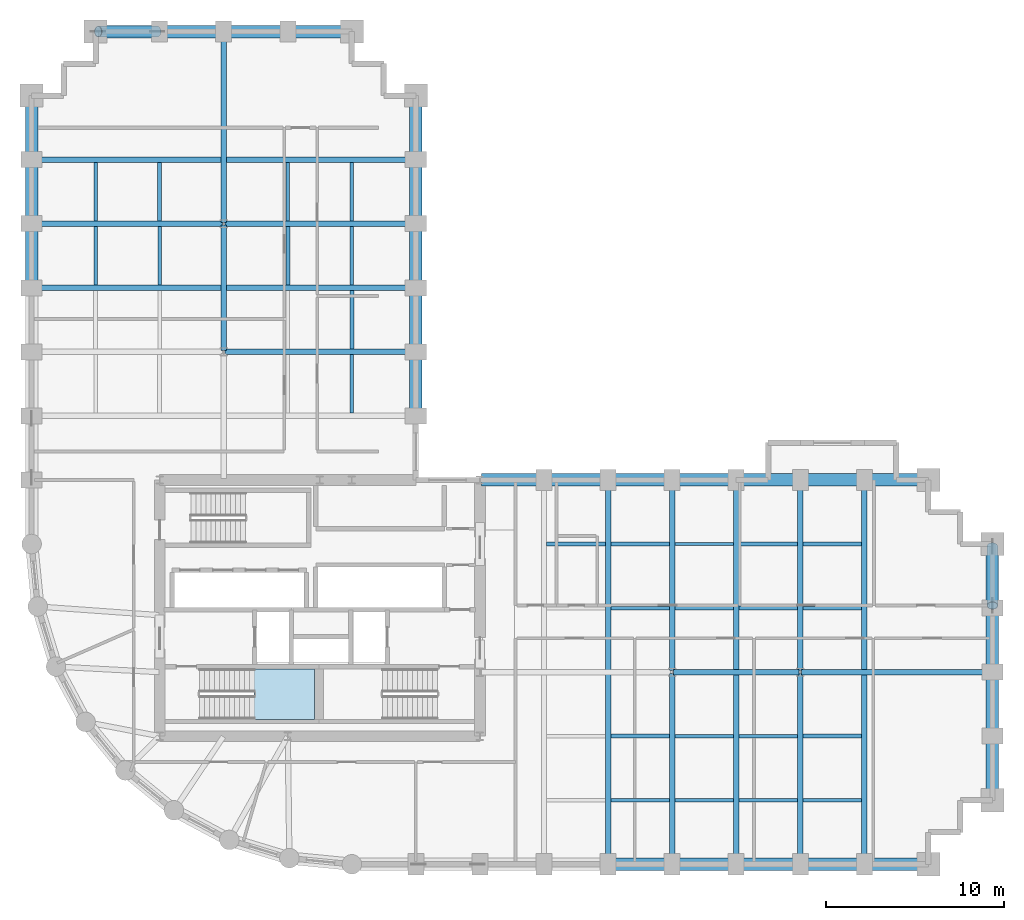
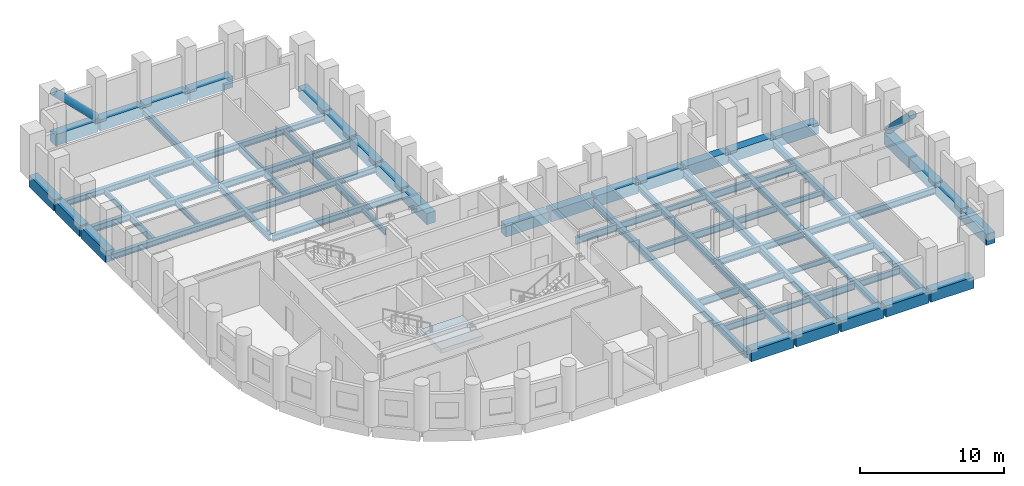
# One storey, part 2 of 8: 71 beams, 2 members, 1 slab, 1 element without a shape of its own.
"""IFC4 building model written with IfcOpenShell, lengths in metres."""

import ifcopenshell
import ifcopenshell.guid

model = None  # the IFC model being written
_history = None  # IfcOwnerHistory: only IFC2X3 demands one
_inside = {}  # id of a spatial element -> (the spatial element, [elements in it])
_under = {}  # id of a project, library or spatial element -> (it, [spatial elements below it])
_declared = {}  # id of a project -> (the project, [libraries it declares])
_typed = {}  # id of a type object -> (the type object, [elements of that type])
_made_of = {}  # id of a material, layer set ... -> (it, [elements and type objects made of it])


def new_model(schema):
    """Start an empty IFC model of exactly this schema.

    Asked for "IFC4X3", IfcOpenShell would pick the latest addendum, in which some entities
    have other attributes; the version numbers below select the first issue.
    IFC2X3 requires an IfcOwnerHistory on every rooted entity: one is made here for all.
    """
    global model, _history
    if schema == "IFC4X3":
        model = ifcopenshell.file(schema_version=(4, 3, 0, 0))
    else:
        model = ifcopenshell.file(schema=schema)
    _inside.clear()
    _under.clear()
    _declared.clear()
    _typed.clear()
    _made_of.clear()
    _history = None
    if model.schema == "IFC2X3":
        org = make("IfcOrganization", Name="unknown")
        user = make(
            "IfcPersonAndOrganization",
            ThePerson=make("IfcPerson", FamilyName="unknown"),
            TheOrganization=org,
        )
        app = make(
            "IfcApplication",
            ApplicationDeveloper=org,
            Version="unknown",
            ApplicationFullName="unknown",
            ApplicationIdentifier="unknown",
        )
        _history = make(
            "IfcOwnerHistory",
            OwningUser=user,
            OwningApplication=app,
            ChangeAction="ADDED",
            CreationDate=0,
        )
    return model


def make(cls, **values):
    """One entity of the class cls with the attributes given. An attribute that is None is left unset."""
    return model.create_entity(
        cls, **{name: value for name, value in values.items() if value is not None}
    )


def rooted(cls, **values):
    """An entity with a GlobalId (a new one), such as an element, a storey or a relation."""
    return make(cls, GlobalId=ifcopenshell.guid.new(), OwnerHistory=_history, **values)


def si_unit(unit_type, name, prefix=None):
    """IfcSIUnit, for example si_unit("LENGTHUNIT", "METRE", prefix="MILLI")."""
    return make("IfcSIUnit", UnitType=unit_type, Prefix=prefix, Name=name)


def assignment(units):
    """IfcUnitAssignment: the units of a project."""
    return None if units is None else make("IfcUnitAssignment", Units=units)


def point(xyz):
    """IfcCartesianPoint."""
    return None if xyz is None else make("IfcCartesianPoint", Coordinates=xyz)


def direction(xyz):
    """IfcDirection."""
    return None if xyz is None else make("IfcDirection", DirectionRatios=xyz)


def frame(location, z_axis=None, x_axis=None):
    """IfcAxis2Placement3D, a coordinate frame: its origin and axes. An axis left out is left unset."""
    return make(
        "IfcAxis2Placement3D",
        Location=point(location),
        Axis=direction(z_axis),
        RefDirection=direction(x_axis),
    )


def frame_2d(location, x_axis=None):
    """IfcAxis2Placement2D, a coordinate frame in the plane: its origin and x axis."""
    return make(
        "IfcAxis2Placement2D", Location=point(location), RefDirection=direction(x_axis)
    )


def origin():
    """The frame at (0, 0, 0) with its axes left unset."""
    return frame((0.0, 0.0, 0.0))


def origin_2d():
    """The frame at (0, 0) in the plane with its x axis left unset."""
    return frame_2d((0.0, 0.0))


def place(relative_to, where):
    """IfcLocalPlacement: puts the frame where relative to a parent placement (None: the world)."""
    return make(
        "IfcLocalPlacement", PlacementRelTo=relative_to, RelativePlacement=where
    )


def context(
    kind, dimensions, precision=None, world=None, true_north=None, identifier=None
):
    """IfcGeometricRepresentationContext, for example the 3D "Model" context."""
    return make(
        "IfcGeometricRepresentationContext",
        ContextIdentifier=identifier,
        ContextType=kind,
        CoordinateSpaceDimension=dimensions,
        Precision=precision,
        WorldCoordinateSystem=world,
        TrueNorth=true_north,
    )


def subcontext(parent, identifier, kind, view, scale=None):
    """IfcGeometricRepresentationSubContext, for example "Body" below "Model"."""
    return make(
        "IfcGeometricRepresentationSubContext",
        ContextIdentifier=identifier,
        ContextType=kind,
        ParentContext=parent,
        TargetScale=scale,
        TargetView=view,
    )


def project(units=None, contexts=None):
    """IfcProject with its units and contexts."""
    return rooted(
        "IfcProject",
        Name="project",
        RepresentationContexts=contexts,
        UnitsInContext=assignment(units),
    )


def spatial(cls, under=None, at=None, **own):
    """A site, building, storey or space (cls), placed at a placement, below another one or the project."""
    s = rooted(cls, ObjectPlacement=at, **own)
    if under is not None:
        _under.setdefault(under.id(), (under, []))[1].append(s)
    return s


def polyline(points):
    """IfcPolyline through the points."""
    return make("IfcPolyline", Points=[point(p) for p in points])


def profile(cls, at=None, kind="AREA", **sizes):
    """A parametric profile (cls). Its sizes go by their IFC names, for example OverallWidth=200.0."""
    return make(cls, ProfileType=kind, Position=at, **sizes)


def rectangle(**sizes):
    """IfcRectangleProfileDef."""
    return profile("IfcRectangleProfileDef", **sizes)


def hollow_circle(**sizes):
    """IfcCircleHollowProfileDef."""
    return profile("IfcCircleHollowProfileDef", **sizes)


def i_section(**sizes):
    """IfcIShapeProfileDef."""
    return profile("IfcIShapeProfileDef", **sizes)


def outline(outer, holes=None, kind="AREA"):
    """IfcArbitraryClosedProfileDef: a profile drawn as a closed curve; with holes, ...WithVoids."""
    if holes is None:
        return make("IfcArbitraryClosedProfileDef", ProfileType=kind, OuterCurve=outer)
    return make(
        "IfcArbitraryProfileDefWithVoids",
        ProfileType=kind,
        OuterCurve=outer,
        InnerCurves=holes,
    )


def extrude(swept, where, along, depth):
    """IfcExtrudedAreaSolid: the profile swept, set in the frame where, extruded along a direction by depth."""
    return make(
        "IfcExtrudedAreaSolid",
        SweptArea=swept,
        Position=where,
        ExtrudedDirection=direction(along),
        Depth=depth,
    )


def shape(context_of_items, identifier, shape_type, items):
    """IfcShapeRepresentation: the items that make up one representation, for example the "Body"."""
    return make(
        "IfcShapeRepresentation",
        ContextOfItems=context_of_items,
        RepresentationIdentifier=identifier,
        RepresentationType=shape_type,
        Items=items,
    )


def material(Name=None, Category=None):
    """IfcMaterial."""
    return make("IfcMaterial", Name=Name, Category=Category)


def layer(
    of_material, thickness, ventilated=None, Name=None, Category=None, Priority=None
):
    """IfcMaterialLayer: one layer of a wall or slab, of a material (None: an air gap)."""
    return make(
        "IfcMaterialLayer",
        Material=of_material,
        LayerThickness=thickness,
        IsVentilated=ventilated,
        Name=Name,
        Category=Category,
        Priority=Priority,
    )


def layer_set(layers, Name=None):
    """IfcMaterialLayerSet."""
    return make("IfcMaterialLayerSet", MaterialLayers=layers, LayerSetName=Name)


def material_profile(
    of_material, cross_section, Name=None, Category=None, Priority=None
):
    """IfcMaterialProfile: a cross section and its material."""
    return make(
        "IfcMaterialProfile",
        Name=Name,
        Material=of_material,
        Profile=cross_section,
        Priority=Priority,
        Category=Category,
    )


def profile_set(profiles, Name=None, composite=None):
    """IfcMaterialProfileSet."""
    return make(
        "IfcMaterialProfileSet",
        Name=Name,
        MaterialProfiles=profiles,
        CompositeProfile=composite,
    )


def made_of(thing, what):
    """Note that an element or type object is made of a material, layer set ...; save() writes the relation."""
    if what is not None:
        _made_of.setdefault(what.id(), (what, []))[1].append(thing)
    return thing


def type_object(cls, material=None, **own):
    """A type object (cls), such as IfcWallType, which elements share."""
    return made_of(rooted(cls, **own), material)


def element(
    cls,
    number,
    at=None,
    inside=None,
    cuts=None,
    type_object=None,
    material=None,
    context=None,
    identifier="Body",
    shape_type=None,
    held_by="IfcProductDefinitionShape",
    body=None,
    shapes=None,
    **own,
):
    """One element of the class cls, such as IfcWall. Its Tag is "e" and its number.

    at: its placement. inside: the storey or other place that contains it. cuts: it is an
    opening in that element (IfcRelVoidsElement). A single representation is given by context,
    identifier, shape_type and body (its items); several are given by shapes. held_by: the class
    of the entity that holds the representations. save() writes the other relations.
    """
    e = rooted(cls, Tag="e%d" % number, ObjectPlacement=at, **own)
    if body is not None:
        shapes = [shape(context, identifier, shape_type, body)]
    if shapes is not None:
        e.Representation = make(held_by, Representations=shapes)
    if inside is not None:
        _inside.setdefault(inside.id(), (inside, []))[1].append(e)
    if cuts is not None:
        rooted(
            "IfcRelVoidsElement", RelatingBuildingElement=cuts, RelatedOpeningElement=e
        )
    if type_object is not None:
        _typed.setdefault(type_object.id(), (type_object, []))[1].append(e)
    return made_of(e, material)


def aggregate(whole, parts):
    """IfcRelAggregates: a whole, such as a stair, and the parts it consists of."""
    return rooted("IfcRelAggregates", RelatingObject=whole, RelatedObjects=parts)


def save(model, path):
    """Write the relations noted so far, then the file.

    IfcRelAggregates (storeys below a building ...), IfcRelContainedInSpatialStructure (elements
    in a storey), IfcRelDefinesByType, IfcRelAssociatesMaterial and IfcRelDeclares: one each for
    every whole, place, type object, material and project.
    """
    for whole, parts in _under.values():
        aggregate(whole, parts)
    for where, things in _inside.values():
        rooted(
            "IfcRelContainedInSpatialStructure",
            RelatedElements=things,
            RelatingStructure=where,
        )
    for kind, things in _typed.values():
        rooted("IfcRelDefinesByType", RelatedObjects=things, RelatingType=kind)
    for what, things in _made_of.values():
        rooted("IfcRelAssociatesMaterial", RelatedObjects=things, RelatingMaterial=what)
    for by, libraries in _declared.values():
        rooted("IfcRelDeclares", RelatingContext=by, RelatedDefinitions=libraries)
    model.write(path)


model = new_model("IFC4")

# Units and contexts
model_context = context("Model", 3, precision=1e-05, world=origin(), true_north=direction((0.0, 1.0)))
body_context = subcontext(model_context, "Body", "Model", "MODEL_VIEW")
ifc_project = project(units=[si_unit("LENGTHUNIT", "METRE"), si_unit("AREAUNIT", "SQUARE_METRE"), si_unit("VOLUMEUNIT", "CUBIC_METRE"), si_unit("PLANEANGLEUNIT", "RADIAN"), si_unit("MASSUNIT", "GRAM", prefix="KILO")], contexts=[model_context])

# Site, building, storey
site_placement = place(None, origin())
site = spatial("IfcSite", under=ifc_project, at=site_placement, CompositionType="ELEMENT")
building_placement = place(site_placement, origin())
building = spatial("IfcBuilding", under=site, at=building_placement, Name="Solnavia Interchange Tower", CompositionType="ELEMENT")
storey_placement = place(building_placement, frame((0.0, 0.0, 43.5)))
storey = spatial("IfcBuildingStorey", under=building, at=storey_placement, Name="L10", CompositionType="ELEMENT", Elevation=43.5)

# Beams
ifc_material_1 = material(Name="Steel S460", Category="steel")
ifc_material_profile_1 = material_profile(ifc_material_1, i_section(OverallWidth=0.300048828125, OverallDepth=0.550048828125, WebThickness=0.014892578125, FlangeThickness=0.029052734375, FilletRadius=0.027099609375, at=origin_2d()), Name="HEB 550")
ifc_profile_set_1 = profile_set([ifc_material_profile_1], Name="Steel S460")
beam_type_1 = type_object("IfcBeamType", Name="Beam-Girder-HEB550", PredefinedType="BEAM", material=ifc_profile_set_1)
beam_1_placement = place(storey_placement, frame((43.280029296875, 14.39990234375, -0.52490234375), z_axis=(1.0, 0.0, 0.0), x_axis=(0.0, 1.0, 0.0)))
element("IfcBeam", 1, at=beam_1_placement, inside=storey, type_object=beam_type_1, Name="GRD-L10-ES02 East wing spine girder", PredefinedType="BEAM", context=body_context, shape_type="SweptSolid", body=[
    extrude(i_section(OverallWidth=0.300048828125, OverallDepth=0.550048828125, WebThickness=0.014892578125, FlangeThickness=0.029052734375, FilletRadius=0.027099609375, at=origin_2d()), origin(), (0.0, 0.0, 1.0), 7.0400390625),
])
beam_2_placement = place(storey_placement, frame((50.47998046875, 14.39990234375, -0.52490234375), z_axis=(1.0, 0.0, 0.0), x_axis=(0.0, 1.0, 0.0)))
element("IfcBeam", 2, at=beam_2_placement, inside=storey, type_object=beam_type_1, Name="GRD-L10-ES03 East wing spine girder", PredefinedType="BEAM", context=body_context, shape_type="SweptSolid", body=[
    extrude(i_section(OverallWidth=0.300048828125, OverallDepth=0.550048828125, WebThickness=0.014892578125, FlangeThickness=0.029052734375, FilletRadius=0.027099609375, at=origin_2d()), origin(), (0.0, 0.0, 1.0), 10.64013671875),
])
beam_3_placement = place(storey_placement, frame((18.0, 32.47998046875, -0.52490234375), z_axis=(0.0, 1.0, 0.0), x_axis=(-1.0, 0.0, 0.0)))
element("IfcBeam", 3, at=beam_3_placement, inside=storey, type_object=beam_type_1, Name="GRD-L10-NS13 North wing spine girder", PredefinedType="BEAM", context=body_context, shape_type="SweptSolid", body=[
    extrude(i_section(OverallWidth=0.300048828125, OverallDepth=0.550048828125, WebThickness=0.014892578125, FlangeThickness=0.029052734375, FilletRadius=0.027099609375, at=origin_2d()), origin(), (0.0, 0.0, 1.0), 7.0400390625),
])
beam_4_placement = place(storey_placement, frame((18.0, 39.679931640625, -0.52490234375), z_axis=(0.0, 1.0, 0.0), x_axis=(-1.0, 0.0, 0.0)))
element("IfcBeam", 4, at=beam_4_placement, inside=storey, type_object=beam_type_1, Name="GRD-L10-NS14 North wing spine girder", PredefinedType="BEAM", context=body_context, shape_type="SweptSolid", body=[
    extrude(i_section(OverallWidth=0.300048828125, OverallDepth=0.550048828125, WebThickness=0.014892578125, FlangeThickness=0.029052734375, FilletRadius=0.027099609375, at=origin_2d()), origin(), (0.0, 0.0, 1.0), 10.64013671875),
])
for number, where, z_axis, x_axis, name in (
    (5, (18.080078125, 32.39990234375, -0.52490234375), (1.0, 0.0, 0.0), (0.0, 1.0, 0.0), "GRD-L10-NW17 North wing primary floor girder"),
    (6, (7.280029296875, 39.60009765625, -0.52490234375), (1.0, 0.0, 0.0), (0.0, 1.0, 0.0), "GRD-L10-NW19 North wing primary floor girder"),
    (7, (18.080078125, 39.60009765625, -0.52490234375), (1.0, 0.0, 0.0), (0.0, 1.0, 0.0), "GRD-L10-NW20 North wing primary floor girder"),
):
    element("IfcBeam", number, at=place(storey_placement, frame(where, z_axis=z_axis, x_axis=x_axis)), inside=storey, type_object=beam_type_1, Name=name, PredefinedType="BEAM", context=body_context, shape_type="SweptSolid", body=[
        extrude(i_section(OverallWidth=0.300048828125, OverallDepth=0.550048828125, WebThickness=0.014892578125, FlangeThickness=0.029052734375, FilletRadius=0.027099609375, at=origin_2d()), origin(), (0.0, 0.0, 1.0), 10.639892578125),
    ])
ifc_material_2 = material(Name="Steel S355", Category="steel")
ifc_material_profile_2 = material_profile(ifc_material_2, i_section(OverallWidth=0.18994140625, OverallDepth=0.449951171875, WebThickness=0.009521484375, FlangeThickness=0.0146484375, FilletRadius=0.02099609375, at=origin_2d()), Name="IPE 450")
ifc_profile_set_2 = profile_set([ifc_material_profile_2], Name="Steel S355")
beam_type_2 = type_object("IfcBeamType", Name="Beam-Joist-IPE450", PredefinedType="JOIST", material=ifc_profile_set_2)
beam_5_placement = place(storey_placement, frame((43.35009765625, 7.199951171875, -0.47509765625), z_axis=(1.0, 0.0, 0.0), x_axis=(0.0, 1.0, 0.0)))
element("IfcBeam", 8, at=beam_5_placement, inside=storey, type_object=beam_type_2, Name="JST-L10-E03 East wing secondary joist", PredefinedType="JOIST", context=body_context, shape_type="SweptSolid", body=[
    extrude(i_section(OverallWidth=0.18994140625, OverallDepth=0.449951171875, WebThickness=0.009521484375, FlangeThickness=0.0146484375, FilletRadius=0.02099609375, at=origin_2d()), origin(), (0.0, 0.0, 1.0), 3.2998046875),
])
for number, where, z_axis, x_axis, name in (
    (9, (46.949951171875, 10.800048828125, -0.47509765625), (1.0, 0.0, 0.0), (0.0, 1.0, 0.0), "JST-L10-E09 East wing secondary joist"),
    (10, (39.75, 18.0, -0.47509765625), (1.0, 0.0, 0.0), (0.0, 1.0, 0.0), "JST-L10-E12 East wing secondary joist"),
    (11, (50.550048828125, 18.0, -0.47509765625), (1.0, 0.0, 0.0), (0.0, 1.0, 0.0), "JST-L10-E15 East wing secondary joist"),
):
    element("IfcBeam", number, at=place(storey_placement, frame(where, z_axis=z_axis, x_axis=x_axis)), inside=storey, type_object=beam_type_2, Name=name, PredefinedType="JOIST", context=body_context, shape_type="SweptSolid", body=[
        extrude(i_section(OverallWidth=0.18994140625, OverallDepth=0.449951171875, WebThickness=0.009521484375, FlangeThickness=0.0146484375, FilletRadius=0.02099609375, at=origin_2d()), origin(), (0.0, 0.0, 1.0), 3.300048828125),
    ])
beam_6_placement = place(storey_placement, frame((43.35009765625, 21.60009765625, -0.47509765625), z_axis=(1.0, 0.0, 0.0), x_axis=(0.0, 1.0, 0.0)))
element("IfcBeam", 12, at=beam_6_placement, inside=storey, type_object=beam_type_2, Name="JST-L10-E18 East wing secondary joist", PredefinedType="JOIST", context=body_context, shape_type="SweptSolid", body=[
    extrude(i_section(OverallWidth=0.18994140625, OverallDepth=0.449951171875, WebThickness=0.009521484375, FlangeThickness=0.0146484375, FilletRadius=0.02099609375, at=origin_2d()), origin(), (0.0, 0.0, 1.0), 3.2998046875),
])
for number, where, z_axis, x_axis, name in (
    (13, (10.800048828125, 39.75, -0.47509765625), (0.0, 1.0, 0.0), (-1.0, 0.0, 0.0), "JST-L10-N24 North wing secondary joist"),
    (14, (14.39990234375, 36.14990234375, -0.47509765625), (0.0, 1.0, 0.0), (-1.0, 0.0, 0.0), "JST-L10-N27 North wing secondary joist"),
    (15, (25.199951171875, 28.949951171875, -0.47509765625), (0.0, 1.0, 0.0), (-1.0, 0.0, 0.0), "JST-L10-N33 North wing secondary joist"),
    (16, (25.199951171875, 39.75, -0.47509765625), (0.0, 1.0, 0.0), (-1.0, 0.0, 0.0), "JST-L10-N36 North wing secondary joist"),
):
    element("IfcBeam", number, at=place(storey_placement, frame(where, z_axis=z_axis, x_axis=x_axis)), inside=storey, type_object=beam_type_2, Name=name, PredefinedType="JOIST", context=body_context, shape_type="SweptSolid", body=[
        extrude(i_section(OverallWidth=0.18994140625, OverallDepth=0.449951171875, WebThickness=0.009521484375, FlangeThickness=0.0146484375, FilletRadius=0.02099609375, at=origin_2d()), origin(), (0.0, 0.0, 1.0), 3.300048828125),
    ])
ifc_material_profile_3 = material_profile(ifc_material_2, i_section(OverallWidth=0.2099609375, OverallDepth=0.550048828125, WebThickness=0.010986328125, FlangeThickness=0.01708984375, FilletRadius=0.02392578125, at=origin_2d()), Name="IPE 550")
ifc_profile_set_3 = profile_set([ifc_material_profile_3], Name="Steel S355")
beam_type_3 = type_object("IfcBeamType", Name="Beam-Joist-IPE550", PredefinedType="JOIST", material=ifc_profile_set_3)
for number, where, z_axis, x_axis, name in (
    (17, (39.75, 7.199951171875, -0.52490234375), (1.0, 0.0, 0.0), (0.0, 1.0, 0.0), "JST-L10-E02 East wing secondary joist"),
    (18, (50.550048828125, 7.199951171875, -0.52490234375), (1.0, 0.0, 0.0), (0.0, 1.0, 0.0), "JST-L10-E05 East wing secondary joist"),
):
    element("IfcBeam", number, at=place(storey_placement, frame(where, z_axis=z_axis, x_axis=x_axis)), inside=storey, type_object=beam_type_3, Name=name, PredefinedType="JOIST", context=body_context, shape_type="SweptSolid", body=[
        extrude(i_section(OverallWidth=0.2099609375, OverallDepth=0.550048828125, WebThickness=0.010986328125, FlangeThickness=0.01708984375, FilletRadius=0.02392578125, at=origin_2d()), origin(), (0.0, 0.0, 1.0), 3.300048828125),
    ])
beam_7_placement = place(storey_placement, frame((43.35009765625, 10.800048828125, -0.52490234375), z_axis=(1.0, 0.0, 0.0), x_axis=(0.0, 1.0, 0.0)))
element("IfcBeam", 19, at=beam_7_placement, inside=storey, type_object=beam_type_3, Name="JST-L10-E08 East wing secondary joist", PredefinedType="JOIST", context=body_context, shape_type="SweptSolid", body=[
    extrude(i_section(OverallWidth=0.2099609375, OverallDepth=0.550048828125, WebThickness=0.010986328125, FlangeThickness=0.01708984375, FilletRadius=0.02392578125, at=origin_2d()), origin(), (0.0, 0.0, 1.0), 3.2998046875),
])
for number, where, z_axis, x_axis, name in (
    (20, (46.949951171875, 18.0, -0.52490234375), (1.0, 0.0, 0.0), (0.0, 1.0, 0.0), "JST-L10-E14 East wing secondary joist"),
    (21, (39.75, 21.60009765625, -0.52490234375), (1.0, 0.0, 0.0), (0.0, 1.0, 0.0), "JST-L10-E17 East wing secondary joist"),
    (22, (50.550048828125, 21.60009765625, -0.52490234375), (1.0, 0.0, 0.0), (0.0, 1.0, 0.0), "JST-L10-E20 East wing secondary joist"),
    (23, (10.800048828125, 36.14990234375, -0.52490234375), (0.0, 1.0, 0.0), (-1.0, 0.0, 0.0), "JST-L10-N23 North wing secondary joist"),
    (24, (21.60009765625, 39.75, -0.52490234375), (0.0, 1.0, 0.0), (-1.0, 0.0, 0.0), "JST-L10-N32 North wing secondary joist"),
    (25, (25.199951171875, 36.14990234375, -0.52490234375), (0.0, 1.0, 0.0), (-1.0, 0.0, 0.0), "JST-L10-N35 North wing secondary joist"),
):
    element("IfcBeam", number, at=place(storey_placement, frame(where, z_axis=z_axis, x_axis=x_axis)), inside=storey, type_object=beam_type_3, Name=name, PredefinedType="JOIST", context=body_context, shape_type="SweptSolid", body=[
        extrude(i_section(OverallWidth=0.2099609375, OverallDepth=0.550048828125, WebThickness=0.010986328125, FlangeThickness=0.01708984375, FilletRadius=0.02392578125, at=origin_2d()), origin(), (0.0, 0.0, 1.0), 3.300048828125),
    ])
ifc_material_profile_4 = material_profile(ifc_material_2, i_section(OverallWidth=0.219970703125, OverallDepth=0.60009765625, WebThickness=0.011962890625, FlangeThickness=0.01904296875, FilletRadius=0.02392578125, at=origin_2d()), Name="IPE 600")
ifc_profile_set_4 = profile_set([ifc_material_profile_4], Name="Steel S355")
beam_type_4 = type_object("IfcBeamType", Name="Beam-Joist-IPE600", PredefinedType="JOIST", material=ifc_profile_set_4)
for number, where, z_axis, x_axis, name in (
    (26, (46.949951171875, 7.199951171875, -0.550048828125), (1.0, 0.0, 0.0), (0.0, 1.0, 0.0), "JST-L10-E04 East wing secondary joist"),
    (27, (39.75, 10.800048828125, -0.550048828125), (1.0, 0.0, 0.0), (0.0, 1.0, 0.0), "JST-L10-E07 East wing secondary joist"),
    (28, (50.550048828125, 10.800048828125, -0.550048828125), (1.0, 0.0, 0.0), (0.0, 1.0, 0.0), "JST-L10-E10 East wing secondary joist"),
):
    element("IfcBeam", number, at=place(storey_placement, frame(where, z_axis=z_axis, x_axis=x_axis)), inside=storey, type_object=beam_type_4, Name=name, PredefinedType="JOIST", context=body_context, shape_type="SweptSolid", body=[
        extrude(i_section(OverallWidth=0.219970703125, OverallDepth=0.60009765625, WebThickness=0.011962890625, FlangeThickness=0.01904296875, FilletRadius=0.02392578125, at=origin_2d()), origin(), (0.0, 0.0, 1.0), 3.300048828125),
    ])
beam_8_placement = place(storey_placement, frame((43.35009765625, 18.0, -0.550048828125), z_axis=(1.0, 0.0, 0.0), x_axis=(0.0, 1.0, 0.0)))
element("IfcBeam", 29, at=beam_8_placement, inside=storey, type_object=beam_type_4, Name="JST-L10-E13 East wing secondary joist", PredefinedType="JOIST", context=body_context, shape_type="SweptSolid", body=[
    extrude(i_section(OverallWidth=0.219970703125, OverallDepth=0.60009765625, WebThickness=0.011962890625, FlangeThickness=0.01904296875, FilletRadius=0.02392578125, at=origin_2d()), origin(), (0.0, 0.0, 1.0), 3.2998046875),
])
for number, where, z_axis, x_axis, name in (
    (30, (36.14990234375, 21.60009765625, -0.550048828125), (1.0, 0.0, 0.0), (0.0, 1.0, 0.0), "JST-L10-E16 East wing secondary joist"),
    (31, (46.949951171875, 21.60009765625, -0.550048828125), (1.0, 0.0, 0.0), (0.0, 1.0, 0.0), "JST-L10-E19 East wing secondary joist"),
    (32, (14.39990234375, 39.75, -0.550048828125), (0.0, 1.0, 0.0), (-1.0, 0.0, 0.0), "JST-L10-N28 North wing secondary joist"),
    (33, (21.60009765625, 36.14990234375, -0.550048828125), (0.0, 1.0, 0.0), (-1.0, 0.0, 0.0), "JST-L10-N31 North wing secondary joist"),
    (34, (25.199951171875, 32.550048828125, -0.550048828125), (0.0, 1.0, 0.0), (-1.0, 0.0, 0.0), "JST-L10-N34 North wing secondary joist"),
):
    element("IfcBeam", number, at=place(storey_placement, frame(where, z_axis=z_axis, x_axis=x_axis)), inside=storey, type_object=beam_type_4, Name=name, PredefinedType="JOIST", context=body_context, shape_type="SweptSolid", body=[
        extrude(i_section(OverallWidth=0.219970703125, OverallDepth=0.60009765625, WebThickness=0.011962890625, FlangeThickness=0.01904296875, FilletRadius=0.02392578125, at=origin_2d()), origin(), (0.0, 0.0, 1.0), 3.300048828125),
    ])
ifc_material_profile_5 = material_profile(ifc_material_2, i_section(OverallWidth=0.300048828125, OverallDepth=0.489990234375, WebThickness=0.011962890625, FlangeThickness=0.02294921875, FilletRadius=0.027099609375, at=origin_2d()), Name="HEA 500")
ifc_profile_set_5 = profile_set([ifc_material_profile_5], Name="Steel S355")
beam_type_5 = type_object("IfcBeamType", Name="Beam-Primary-HEA500", PredefinedType="BEAM", material=ifc_profile_set_5)
for number, where, z_axis, x_axis, name in (
    (35, (43.199951171875, 3.679931640625, -0.4951171875), (0.0, 1.0, 0.0), (-1.0, 0.0, 0.0), "GRD-L10-EW06 East wing primary floor girder"),
    (36, (43.199951171875, 14.47998046875, -0.4951171875), (0.0, 1.0, 0.0), (-1.0, 0.0, 0.0), "GRD-L10-EW07 East wing primary floor girder"),
    (37, (50.39990234375, 3.679931640625, -0.4951171875), (0.0, 1.0, 0.0), (-1.0, 0.0, 0.0), "GRD-L10-EW09 East wing primary floor girder"),
    (38, (50.39990234375, 14.47998046875, -0.4951171875), (0.0, 1.0, 0.0), (-1.0, 0.0, 0.0), "GRD-L10-EW10 East wing primary floor girder"),
):
    element("IfcBeam", number, at=place(storey_placement, frame(where, z_axis=z_axis, x_axis=x_axis)), inside=storey, type_object=beam_type_5, Name=name, PredefinedType="BEAM", context=body_context, shape_type="SweptSolid", body=[
        extrude(i_section(OverallWidth=0.300048828125, OverallDepth=0.489990234375, WebThickness=0.011962890625, FlangeThickness=0.02294921875, FilletRadius=0.027099609375, at=origin_2d()), origin(), (0.0, 0.0, 1.0), 10.64013671875),
    ])
for number, where, z_axis, x_axis, name in (
    (39, (7.280029296875, 36.0, -0.4951171875), (1.0, 0.0, 0.0), (0.0, 1.0, 0.0), "GRD-L10-NW18 North wing primary floor girder"),
    (40, (7.280029296875, 43.199951171875, -0.4951171875), (1.0, 0.0, 0.0), (0.0, 1.0, 0.0), "GRD-L10-NW21 North wing primary floor girder"),
):
    element("IfcBeam", number, at=place(storey_placement, frame(where, z_axis=z_axis, x_axis=x_axis)), inside=storey, type_object=beam_type_5, Name=name, PredefinedType="BEAM", context=body_context, shape_type="SweptSolid", body=[
        extrude(i_section(OverallWidth=0.300048828125, OverallDepth=0.489990234375, WebThickness=0.011962890625, FlangeThickness=0.02294921875, FilletRadius=0.027099609375, at=origin_2d()), origin(), (0.0, 0.0, 1.0), 21.43994140625),
    ])
ifc_material_profile_6 = material_profile(ifc_material_2, i_section(OverallWidth=0.300048828125, OverallDepth=0.590087890625, WebThickness=0.012939453125, FlangeThickness=0.02490234375, FilletRadius=0.027099609375, at=origin_2d()), Name="HEA 600")
ifc_profile_set_6 = profile_set([ifc_material_profile_6], Name="Steel S355")
beam_type_6 = type_object("IfcBeamType", Name="Beam-Primary-HEA600", PredefinedType="BEAM", material=ifc_profile_set_6)
for number, where, z_axis, x_axis, name in (
    (41, (39.60009765625, 3.679931640625, -0.544921875), (0.0, 1.0, 0.0), (-1.0, 0.0, 0.0), "GRD-L10-EW05 East wing primary floor girder"),
    (42, (46.800048828125, 3.679931640625, -0.544921875), (0.0, 1.0, 0.0), (-1.0, 0.0, 0.0), "GRD-L10-EW08 East wing primary floor girder"),
    (43, (54.0, 3.679931640625, -0.544921875), (0.0, 1.0, 0.0), (-1.0, 0.0, 0.0), "GRD-L10-EW11 East wing primary floor girder"),
):
    element("IfcBeam", number, at=place(storey_placement, frame(where, z_axis=z_axis, x_axis=x_axis)), inside=storey, type_object=beam_type_6, Name=name, PredefinedType="BEAM", context=body_context, shape_type="SweptSolid", body=[
        extrude(i_section(OverallWidth=0.300048828125, OverallDepth=0.590087890625, WebThickness=0.012939453125, FlangeThickness=0.02490234375, FilletRadius=0.027099609375, at=origin_2d()), origin(), (0.0, 0.0, 1.0), 21.440185546875),
    ])
ifc_material_3 = material(Name="Concrete C50/60", Category="concrete")
ifc_material_profile_7 = material_profile(ifc_material_3, rectangle(XDim=0.699951171875, YDim=0.949951171875, at=origin_2d()), Name="RC 700x950")
ifc_profile_set_7 = profile_set([ifc_material_profile_7], Name="Concrete C50/60")
beam_type_7 = type_object("IfcBeamType", Name="Beam-Spandrel-RC700x950", PredefinedType="SPANDREL", material=ifc_profile_set_7)
beam_9_placement = place(storey_placement, frame((39.679931640625, 3.60009765625, -0.47509765625), z_axis=(1.0, 0.0, 0.0), x_axis=(0.0, 1.0, 0.0)))
element("IfcBeam", 44, at=beam_9_placement, inside=storey, type_object=beam_type_7, Name="SPB-L10-13 Framed-tube perimeter spandrel beam", PredefinedType="SPANDREL", context=body_context, shape_type="SweptSolid", body=[
    extrude(rectangle(XDim=0.699951171875, YDim=0.949951171875, at=origin_2d()), origin(), (0.0, 0.0, 1.0), 3.440185546875),
])
beam_10_placement = place(storey_placement, frame((43.280029296875, 3.60009765625, -0.47509765625), z_axis=(1.0, 0.0, 0.0), x_axis=(0.0, 1.0, 0.0)))
element("IfcBeam", 45, at=beam_10_placement, inside=storey, type_object=beam_type_7, Name="SPB-L10-14 Framed-tube perimeter spandrel beam", PredefinedType="SPANDREL", context=body_context, shape_type="SweptSolid", body=[
    extrude(rectangle(XDim=0.699951171875, YDim=0.949951171875, at=origin_2d()), origin(), (0.0, 0.0, 1.0), 3.43994140625),
])
beam_11_placement = place(storey_placement, frame((46.8798828125, 3.60009765625, -0.47509765625), z_axis=(1.0, 0.0, 0.0), x_axis=(0.0, 1.0, 0.0)))
element("IfcBeam", 46, at=beam_11_placement, inside=storey, type_object=beam_type_7, Name="SPB-L10-15 Framed-tube perimeter spandrel beam", PredefinedType="SPANDREL", context=body_context, shape_type="SweptSolid", body=[
    extrude(rectangle(XDim=0.699951171875, YDim=0.949951171875, at=origin_2d()), origin(), (0.0, 0.0, 1.0), 3.440185546875),
])
for number, where, z_axis, x_axis, name in (
    (47, (50.47998046875, 3.60009765625, -0.47509765625), (1.0, 0.0, 0.0), (0.0, 1.0, 0.0), "SPB-L10-16 Framed-tube perimeter spandrel beam"),
    (48, (54.080078125, 3.60009765625, -0.47509765625), (1.0, 0.0, 0.0), (0.0, 1.0, 0.0), "SPB-L10-17 Framed-tube perimeter spandrel beam"),
    (49, (61.199951171875, 7.280029296875, -0.47509765625), (0.0, 1.0, 0.0), (-1.0, 0.0, 0.0), "SPB-L10-18 Framed-tube perimeter spandrel beam"),
):
    element("IfcBeam", number, at=place(storey_placement, frame(where, z_axis=z_axis, x_axis=x_axis)), inside=storey, type_object=beam_type_7, Name=name, PredefinedType="SPANDREL", context=body_context, shape_type="SweptSolid", body=[
        extrude(rectangle(XDim=0.699951171875, YDim=0.949951171875, at=origin_2d()), origin(), (0.0, 0.0, 1.0), 3.43994140625),
    ])
beam_12_placement = place(storey_placement, frame((61.199951171875, 10.8798828125, -0.47509765625), z_axis=(0.0, 1.0, 0.0), x_axis=(-1.0, 0.0, 0.0)))
element("IfcBeam", 50, at=beam_12_placement, inside=storey, type_object=beam_type_7, Name="SPB-L10-19 Framed-tube perimeter spandrel beam", PredefinedType="SPANDREL", context=body_context, shape_type="SweptSolid", body=[
    extrude(rectangle(XDim=0.699951171875, YDim=0.949951171875, at=origin_2d()), origin(), (0.0, 0.0, 1.0), 3.440185546875),
])
for number, where, z_axis, x_axis, name in (
    (51, (61.199951171875, 14.47998046875, -0.47509765625), (0.0, 1.0, 0.0), (-1.0, 0.0, 0.0), "SPB-L10-20 Framed-tube perimeter spandrel beam"),
    (52, (61.199951171875, 18.080078125, -0.47509765625), (0.0, 1.0, 0.0), (-1.0, 0.0, 0.0), "SPB-L10-21 Framed-tube perimeter spandrel beam"),
    (53, (57.52001953125, 25.199951171875, -0.47509765625), (-1.0, 0.0, 0.0), (0.0, -1.0, 0.0), "SPB-L10-22 Framed-tube perimeter spandrel beam"),
    (54, (53.919921875, 25.199951171875, -0.47509765625), (-1.0, 0.0, 0.0), (0.0, -1.0, 0.0), "SPB-L10-23 Framed-tube perimeter spandrel beam"),
):
    element("IfcBeam", number, at=place(storey_placement, frame(where, z_axis=z_axis, x_axis=x_axis)), inside=storey, type_object=beam_type_7, Name=name, PredefinedType="SPANDREL", context=body_context, shape_type="SweptSolid", body=[
        extrude(rectangle(XDim=0.699951171875, YDim=0.949951171875, at=origin_2d()), origin(), (0.0, 0.0, 1.0), 3.43994140625),
    ])
beam_13_placement = place(storey_placement, frame((50.320068359375, 25.199951171875, -0.47509765625), z_axis=(-1.0, 0.0, 0.0), x_axis=(0.0, -1.0, 0.0)))
element("IfcBeam", 55, at=beam_13_placement, inside=storey, type_object=beam_type_7, Name="SPB-L10-24 Framed-tube perimeter spandrel beam", PredefinedType="SPANDREL", context=body_context, shape_type="SweptSolid", body=[
    extrude(rectangle(XDim=0.699951171875, YDim=0.949951171875, at=origin_2d()), origin(), (0.0, 0.0, 1.0), 3.440185546875),
])
beam_14_placement = place(storey_placement, frame((46.719970703125, 25.199951171875, -0.47509765625), z_axis=(-1.0, 0.0, 0.0), x_axis=(0.0, -1.0, 0.0)))
element("IfcBeam", 56, at=beam_14_placement, inside=storey, type_object=beam_type_7, Name="SPB-L10-25 Framed-tube perimeter spandrel beam", PredefinedType="SPANDREL", context=body_context, shape_type="SweptSolid", body=[
    extrude(rectangle(XDim=0.699951171875, YDim=0.949951171875, at=origin_2d()), origin(), (0.0, 0.0, 1.0), 3.43994140625),
])
beam_15_placement = place(storey_placement, frame((43.1201171875, 25.199951171875, -0.47509765625), z_axis=(-1.0, 0.0, 0.0), x_axis=(0.0, -1.0, 0.0)))
element("IfcBeam", 57, at=beam_15_placement, inside=storey, type_object=beam_type_7, Name="SPB-L10-26 Framed-tube perimeter spandrel beam", PredefinedType="SPANDREL", context=body_context, shape_type="SweptSolid", body=[
    extrude(rectangle(XDim=0.699951171875, YDim=0.949951171875, at=origin_2d()), origin(), (0.0, 0.0, 1.0), 3.440185546875),
])
for number, where, z_axis, x_axis, name in (
    (58, (39.52001953125, 25.199951171875, -0.47509765625), (-1.0, 0.0, 0.0), (0.0, -1.0, 0.0), "SPB-L10-27 Framed-tube perimeter spandrel beam"),
    (59, (35.919921875, 25.199951171875, -0.47509765625), (-1.0, 0.0, 0.0), (0.0, -1.0, 0.0), "SPB-L10-28 Framed-tube perimeter spandrel beam"),
):
    element("IfcBeam", number, at=place(storey_placement, frame(where, z_axis=z_axis, x_axis=x_axis)), inside=storey, type_object=beam_type_7, Name=name, PredefinedType="SPANDREL", context=body_context, shape_type="SweptSolid", body=[
        extrude(rectangle(XDim=0.699951171875, YDim=0.949951171875, at=origin_2d()), origin(), (0.0, 0.0, 1.0), 3.43994140625),
    ])
beam_16_placement = place(storey_placement, frame((28.800048828125, 28.8798828125, -0.47509765625), z_axis=(0.0, 1.0, 0.0), x_axis=(-1.0, 0.0, 0.0)))
element("IfcBeam", 60, at=beam_16_placement, inside=storey, type_object=beam_type_7, Name="SPB-L10-29 Framed-tube perimeter spandrel beam", PredefinedType="SPANDREL", context=body_context, shape_type="SweptSolid", body=[
    extrude(rectangle(XDim=0.699951171875, YDim=0.949951171875, at=origin_2d()), origin(), (0.0, 0.0, 1.0), 3.440185546875),
])
for number, where, z_axis, x_axis, name in (
    (61, (28.800048828125, 32.47998046875, -0.47509765625), (0.0, 1.0, 0.0), (-1.0, 0.0, 0.0), "SPB-L10-30 Framed-tube perimeter spandrel beam"),
    (62, (28.800048828125, 36.080078125, -0.47509765625), (0.0, 1.0, 0.0), (-1.0, 0.0, 0.0), "SPB-L10-31 Framed-tube perimeter spandrel beam"),
):
    element("IfcBeam", number, at=place(storey_placement, frame(where, z_axis=z_axis, x_axis=x_axis)), inside=storey, type_object=beam_type_7, Name=name, PredefinedType="SPANDREL", context=body_context, shape_type="SweptSolid", body=[
        extrude(rectangle(XDim=0.699951171875, YDim=0.949951171875, at=origin_2d()), origin(), (0.0, 0.0, 1.0), 3.43994140625),
    ])
beam_17_placement = place(storey_placement, frame((28.800048828125, 39.679931640625, -0.47509765625), z_axis=(0.0, 1.0, 0.0), x_axis=(-1.0, 0.0, 0.0)))
element("IfcBeam", 63, at=beam_17_placement, inside=storey, type_object=beam_type_7, Name="SPB-L10-32 Framed-tube perimeter spandrel beam", PredefinedType="SPANDREL", context=body_context, shape_type="SweptSolid", body=[
    extrude(rectangle(XDim=0.699951171875, YDim=0.949951171875, at=origin_2d()), origin(), (0.0, 0.0, 1.0), 3.440185546875),
])
beam_18_placement = place(storey_placement, frame((28.800048828125, 43.280029296875, -0.47509765625), z_axis=(0.0, 1.0, 0.0), x_axis=(-1.0, 0.0, 0.0)))
element("IfcBeam", 64, at=beam_18_placement, inside=storey, type_object=beam_type_7, Name="SPB-L10-33 Framed-tube perimeter spandrel beam", PredefinedType="SPANDREL", context=body_context, shape_type="SweptSolid", body=[
    extrude(rectangle(XDim=0.699951171875, YDim=0.949951171875, at=origin_2d()), origin(), (0.0, 0.0, 1.0), 3.43994140625),
])
beam_19_placement = place(storey_placement, frame((25.1201171875, 50.39990234375, -0.47509765625), z_axis=(-1.0, 0.0, 0.0), x_axis=(0.0, -1.0, 0.0)))
element("IfcBeam", 65, at=beam_19_placement, inside=storey, type_object=beam_type_7, Name="SPB-L10-34 Framed-tube perimeter spandrel beam", PredefinedType="SPANDREL", context=body_context, shape_type="SweptSolid", body=[
    extrude(rectangle(XDim=0.699951171875, YDim=0.949951171875, at=origin_2d()), origin(), (0.0, 0.0, 1.0), 3.440185546875),
])
for number, where, z_axis, x_axis, name in (
    (66, (21.52001953125, 50.39990234375, -0.47509765625), (-1.0, 0.0, 0.0), (0.0, -1.0, 0.0), "SPB-L10-35 Framed-tube perimeter spandrel beam"),
    (67, (17.919921875, 50.39990234375, -0.47509765625), (-1.0, 0.0, 0.0), (0.0, -1.0, 0.0), "SPB-L10-36 Framed-tube perimeter spandrel beam"),
):
    element("IfcBeam", number, at=place(storey_placement, frame(where, z_axis=z_axis, x_axis=x_axis)), inside=storey, type_object=beam_type_7, Name=name, PredefinedType="SPANDREL", context=body_context, shape_type="SweptSolid", body=[
        extrude(rectangle(XDim=0.699951171875, YDim=0.949951171875, at=origin_2d()), origin(), (0.0, 0.0, 1.0), 3.43994140625),
    ])
beam_20_placement = place(storey_placement, frame((14.320068359375, 50.39990234375, -0.47509765625), z_axis=(-1.0, 0.0, 0.0), x_axis=(0.0, -1.0, 0.0)))
element("IfcBeam", 68, at=beam_20_placement, inside=storey, type_object=beam_type_7, Name="SPB-L10-37 Framed-tube perimeter spandrel beam", PredefinedType="SPANDREL", context=body_context, shape_type="SweptSolid", body=[
    extrude(rectangle(XDim=0.699951171875, YDim=0.949951171875, at=origin_2d()), origin(), (0.0, 0.0, 1.0), 3.440185546875),
])
beam_21_placement = place(storey_placement, frame((7.199951171875, 46.719970703125, -0.47509765625), z_axis=(0.0, -1.0, 0.0), x_axis=(1.0, 0.0, 0.0)))
element("IfcBeam", 69, at=beam_21_placement, inside=storey, type_object=beam_type_7, Name="SPB-L10-38 Framed-tube perimeter spandrel beam", PredefinedType="SPANDREL", context=body_context, shape_type="SweptSolid", body=[
    extrude(rectangle(XDim=0.699951171875, YDim=0.949951171875, at=origin_2d()), origin(), (0.0, 0.0, 1.0), 3.43994140625),
])
beam_22_placement = place(storey_placement, frame((7.199951171875, 43.1201171875, -0.47509765625), z_axis=(0.0, -1.0, 0.0), x_axis=(1.0, 0.0, 0.0)))
element("IfcBeam", 70, at=beam_22_placement, inside=storey, type_object=beam_type_7, Name="SPB-L10-39 Framed-tube perimeter spandrel beam", PredefinedType="SPANDREL", context=body_context, shape_type="SweptSolid", body=[
    extrude(rectangle(XDim=0.699951171875, YDim=0.949951171875, at=origin_2d()), origin(), (0.0, 0.0, 1.0), 3.440185546875),
])
beam_23_placement = place(storey_placement, frame((7.199951171875, 39.52001953125, -0.47509765625), z_axis=(0.0, -1.0, 0.0), x_axis=(1.0, 0.0, 0.0)))
element("IfcBeam", 71, at=beam_23_placement, inside=storey, type_object=beam_type_7, Name="SPB-L10-40 Framed-tube perimeter spandrel beam", PredefinedType="SPANDREL", context=body_context, shape_type="SweptSolid", body=[
    extrude(rectangle(XDim=0.699951171875, YDim=0.949951171875, at=origin_2d()), origin(), (0.0, 0.0, 1.0), 3.43994140625),
])

# Members
ifc_material_profile_8 = material_profile(ifc_material_1, hollow_circle(Radius=0.304931640625, WallThickness=0.02490234375, at=origin_2d()), Name="CHS 610x25")
ifc_profile_set_8 = profile_set([ifc_material_profile_8], Name="Steel S460")
member_type = type_object("IfcMemberType", Name="Brace-Perim-CHS610", PredefinedType="BRACE", material=ifc_profile_set_8)
for number, where, z_axis, x_axis, name in (
    (72, (61.199951171875, 21.4599609375, 0.179931640625), (0.0, -0.710311792477, 0.703887176661), (1.0, 0.0, 0.0), "BRC-L10-03 Perimeter tube diagonal brace"),
    (73, (14.260009765625, 50.39990234375, 0.179931640625), (-0.710311792477, 0.0, 0.703887176661), (0.0, -1.0, 0.0), "BRC-L10-04 Perimeter tube diagonal brace"),
):
    element("IfcMember", number, at=place(storey_placement, frame(where, z_axis=z_axis, x_axis=x_axis)), inside=storey, type_object=member_type, Name=name, PredefinedType="BRACE", context=body_context, shape_type="SweptSolid", body=[
        extrude(hollow_circle(Radius=0.304931640625, WallThickness=0.02490234375, at=origin_2d()), origin(), (0.0, 0.0, 1.0), 4.674072265625),
    ])

# Stair, slab
ifc_material_4 = material(Name="Concrete C40/50", Category="concrete")
stair_type = type_object("IfcStairType", Name="Stair-Dogleg-RC", PredefinedType="HALF_TURN_STAIR", material=ifc_material_4)
stair_placement = place(storey_placement, origin())
stair = element("IfcStair", 74, at=stair_placement, inside=storey, type_object=stair_type, Name="L10 Core exit stair 1", PredefinedType="HALF_TURN_STAIR")
ifc_layer = layer(ifc_material_4, 0.35009765625)
ifc_layer_set = layer_set([ifc_layer], Name="Concrete C40/50")
slab_type = type_object("IfcSlabType", Name="Slab-StairLanding-350", PredefinedType="LANDING", material=ifc_layer_set)
slab_placement = place(storey_placement, frame((0.0, 0.0, 1.60009765625)))
slab = element("IfcSlab", 75, at=slab_placement, type_object=slab_type, Name="ST-1 landing 1", PredefinedType="LANDING", context=body_context, shape_type="SweptSolid", body=[
    extrude(outline(polyline([(19.7080078125, 11.75), (23.10009765625, 11.75), (23.10009765625, 14.590087890625), (19.7080078125, 14.590087890625), (19.7080078125, 11.75)])), origin(), (0.0, 0.0, 1.0), 0.349853515625),
])
aggregate(stair, [slab])

save(model, "model.ifc")
